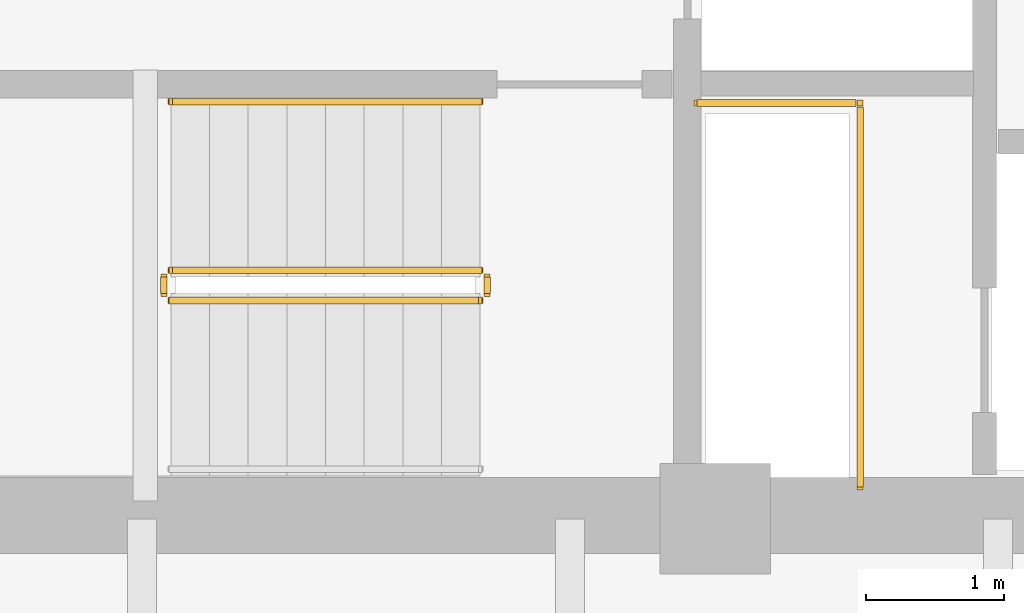
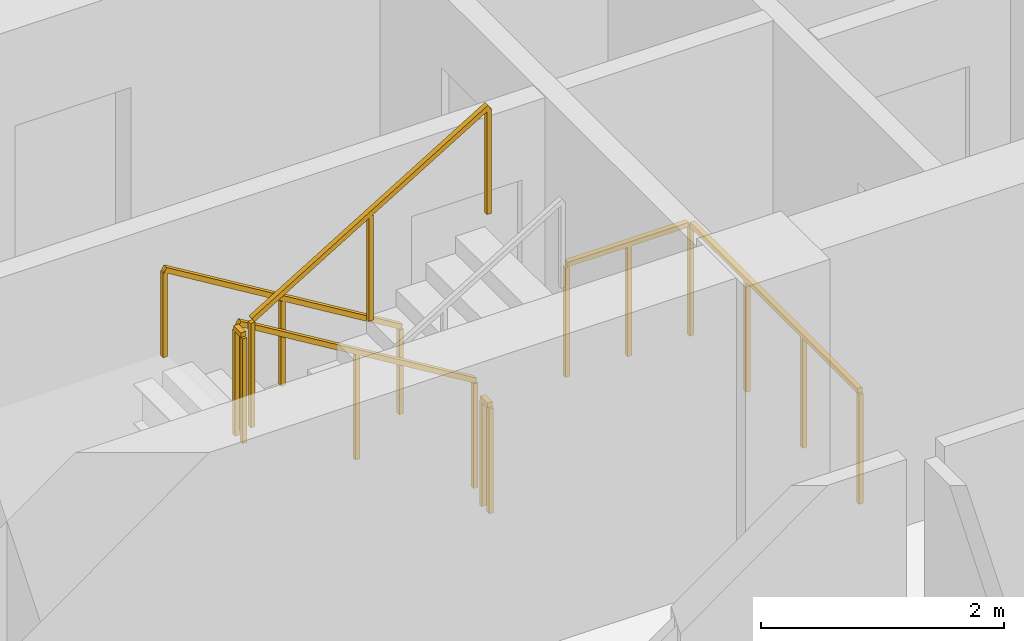
# One storey, part 8 of 12: 6 railings.
"""IFC4 building model written with IfcOpenShell, lengths in metres."""

from ifc_helpers import new_model, si_unit, direction, frame, origin, origin_2d, place, context, subcontext, project, spatial, rectangle, extrude, material, type_object, element, save


model = new_model("IFC4")

# Units and contexts
model_context = context("Model", 3, precision=1e-05, world=origin(), true_north=direction((0.0, 1.0)))
body_context = subcontext(model_context, "Body", "Model", "MODEL_VIEW")
ifc_project = project(units=[si_unit("LENGTHUNIT", "METRE"), si_unit("AREAUNIT", "SQUARE_METRE"), si_unit("VOLUMEUNIT", "CUBIC_METRE"), si_unit("PLANEANGLEUNIT", "RADIAN"), si_unit("MASSUNIT", "GRAM", prefix="KILO")], contexts=[model_context])

# Site, building, storey
site_placement = place(None, origin())
site = spatial("IfcSite", under=ifc_project, at=site_placement, CompositionType="ELEMENT")
building_placement = place(site_placement, origin())
building = spatial("IfcBuilding", under=site, at=building_placement, Name="Qhalaya Broadcast Tower", CompositionType="ELEMENT")
storey_placement = place(building_placement, frame((0.0, 0.0, 35.25)))
storey = spatial("IfcBuildingStorey", under=building, at=storey_placement, Name="L09", CompositionType="ELEMENT", Elevation=35.25)

# Railings
ifc_material = material(Name="Powder-Coated Galvanised Steel", Category="steel")
railing_type_1 = type_object("IfcRailingType", Name="Stair Wall Handrail 900", PredefinedType="HANDRAIL", material=ifc_material)
railing_1_placement = place(storey_placement, frame((-3.75, -5.72998046875, 0.16943359375)))
element("IfcRailing", 1, at=railing_1_placement, inside=storey, type_object=railing_type_1, Name="L09 ST-2 Stair Handrail 1", PredefinedType="HANDRAIL", context=body_context, shape_type="SweptSolid", body=[
    extrude(rectangle(XDim=0.048095703125, YDim=0.048095703125, at=origin_2d()), frame((0.0, 0.0, 0.8759765625), z_axis=(-0.855553338991, 0.0, 0.51771467445), x_axis=(0.0, -1.0, 0.0)), (0.0, 0.0, 1.0), 2.6181640625),
    extrude(rectangle(XDim=0.0419921875, YDim=0.0419921875, at=origin_2d()), origin(), (0.0, 0.0, 1.0), 0.849853515625),
    extrude(rectangle(XDim=0.0419921875, YDim=0.0419921875, at=origin_2d()), frame((-1.1201171875, 0.0, 0.677734375)), (0.0, 0.0, 1.0), 0.849853515625),
    extrude(rectangle(XDim=0.0419921875, YDim=0.0419921875, at=origin_2d()), frame((-2.239990234375, 0.0, 1.35546875)), (0.0, 0.0, 1.0), 0.849853515625),
])
railing_type_2 = type_object("IfcRailingType", Name="Stair Well & Landing Guardrail 1100", PredefinedType="GUARDRAIL", material=ifc_material)
railing_2_placement = place(storey_placement, frame((-1.0, -8.52001953125, 0.0)))
element("IfcRailing", 2, at=railing_2_placement, inside=storey, type_object=railing_type_2, Name="L09 Service Riser Opening Safety Guard SRSR", PredefinedType="GUARDRAIL", context=body_context, shape_type="SweptSolid", body=[
    extrude(rectangle(XDim=0.048095703125, YDim=0.048095703125, at=origin_2d()), frame((0.0, 0.0, 1.1259765625), z_axis=(0.0, 1.0, 0.0), x_axis=(-1.0, 0.0, 0.0)), (0.0, 0.0, 1.0), 2.751220703125),
    extrude(rectangle(XDim=0.048095703125, YDim=0.048095703125, at=origin_2d()), frame((-0.02880859375, 2.780029296875, 1.1259765625), z_axis=(-1.0, 0.0, 0.0), x_axis=(0.0, -1.0, 0.0)), (0.0, 0.0, 1.0), 1.151123046875),
    extrude(rectangle(XDim=0.0419921875, YDim=0.0419921875, at=origin_2d()), origin(), (0.0, 0.0, 1.0), 1.099853515625),
    extrude(rectangle(XDim=0.0419921875, YDim=0.0419921875, at=origin_2d()), frame((0.0, 0.9267578125, 0.0)), (0.0, 0.0, 1.0), 1.099853515625),
    extrude(rectangle(XDim=0.0419921875, YDim=0.0419921875, at=origin_2d()), frame((0.0, 1.853271484375, 0.0)), (0.0, 0.0, 1.0), 1.099853515625),
    extrude(rectangle(XDim=0.0419921875, YDim=0.0419921875, at=origin_2d()), frame((0.0, 2.780029296875, 0.0)), (0.0, 0.0, 1.0), 1.099853515625),
    extrude(rectangle(XDim=0.0419921875, YDim=0.0419921875, at=origin_2d()), frame((-0.58984375, 2.780029296875, 0.0)), (0.0, 0.0, 1.0), 1.099853515625),
    extrude(rectangle(XDim=0.0419921875, YDim=0.0419921875, at=origin_2d()), frame((-1.179931640625, 2.780029296875, 0.0)), (0.0, 0.0, 1.0), 1.099853515625),
])
railing_3_placement = place(storey_placement, frame((-3.75, -6.949951171875, 0.16943359375)))
element("IfcRailing", 3, at=railing_3_placement, inside=storey, type_object=railing_type_2, Name="L09 ST-2 Stair Guard 1", PredefinedType="GUARDRAIL", context=body_context, shape_type="SweptSolid", body=[
    extrude(rectangle(XDim=0.048095703125, YDim=0.048095703125, at=origin_2d()), frame((0.0, 0.0, 1.076171875), z_axis=(-0.855553338991, 0.0, 0.51771467445), x_axis=(0.0, -1.0, 0.0)), (0.0, 0.0, 1.0), 2.6181640625),
    extrude(rectangle(XDim=0.0419921875, YDim=0.0419921875, at=origin_2d()), origin(), (0.0, 0.0, 1.0), 1.050048828125),
    extrude(rectangle(XDim=0.0419921875, YDim=0.0419921875, at=origin_2d()), frame((-1.1201171875, 0.0, 0.677734375)), (0.0, 0.0, 1.0), 1.050048828125),
    extrude(rectangle(XDim=0.0419921875, YDim=0.0419921875, at=origin_2d()), frame((-2.239990234375, 0.0, 1.35546875)), (0.0, 0.0, 1.0), 1.050048828125),
])
railing_4_placement = place(storey_placement, frame((-6.0400390625, -7.0, 1.52490234375)))
element("IfcRailing", 4, at=railing_4_placement, inside=storey, type_object=railing_type_2, Name="L09 ST-2 Stair Guard 2", PredefinedType="GUARDRAIL", context=body_context, shape_type="SweptSolid", body=[
    extrude(rectangle(XDim=0.048095703125, YDim=0.048095703125, at=origin_2d()), frame((0.0, 0.0, 1.076171875), z_axis=(0.0, -1.0, 0.0), x_axis=(1.0, 0.0, 0.0)), (0.0, 0.0, 1.0), 0.1201171875),
    extrude(rectangle(XDim=0.0419921875, YDim=0.0419921875, at=origin_2d()), origin(), (0.0, 0.0, 1.0), 1.050048828125),
    extrude(rectangle(XDim=0.0419921875, YDim=0.0419921875, at=origin_2d()), frame((0.0, -0.1201171875, 0.0)), (0.0, 0.0, 1.0), 1.050048828125),
])
railing_5_placement = place(storey_placement, frame((-5.989990234375, -7.169921875, 1.6943359375)))
element("IfcRailing", 5, at=railing_5_placement, inside=storey, type_object=railing_type_2, Name="L09 ST-2 Stair Guard 3", PredefinedType="GUARDRAIL", context=body_context, shape_type="SweptSolid", body=[
    extrude(rectangle(XDim=0.048095703125, YDim=0.048095703125, at=origin_2d()), frame((0.0, 0.0, 1.076171875), z_axis=(0.855512035549, 0.0, 0.517782924622), x_axis=(0.0, 1.0, 0.0)), (0.0, 0.0, 1.0), 2.618408203125),
    extrude(rectangle(XDim=0.0419921875, YDim=0.0419921875, at=origin_2d()), origin(), (0.0, 0.0, 1.0), 1.050048828125),
    extrude(rectangle(XDim=0.0419921875, YDim=0.0419921875, at=origin_2d()), frame((1.1201171875, 0.0, 0.677734375)), (0.0, 0.0, 1.0), 1.050048828125),
    extrude(rectangle(XDim=0.0419921875, YDim=0.0419921875, at=origin_2d()), frame((2.239990234375, 0.0, 1.355712890625)), (0.0, 0.0, 1.0), 1.050048828125),
])
railing_6_placement = place(storey_placement, frame((-3.699951171875, -7.0, 0.0)))
element("IfcRailing", 6, at=railing_6_placement, inside=storey, type_object=railing_type_2, Name="L09 ST-2 Stair Guard 4", PredefinedType="GUARDRAIL", context=body_context, shape_type="SweptSolid", body=[
    extrude(rectangle(XDim=0.048095703125, YDim=0.048095703125, at=origin_2d()), frame((0.0, 0.0, 1.076171875), z_axis=(0.0, -1.0, 0.0), x_axis=(1.0, 0.0, 0.0)), (0.0, 0.0, 1.0), 0.1201171875),
    extrude(rectangle(XDim=0.0419921875, YDim=0.0419921875, at=origin_2d()), origin(), (0.0, 0.0, 1.0), 1.050048828125),
    extrude(rectangle(XDim=0.0419921875, YDim=0.0419921875, at=origin_2d()), frame((0.0, -0.1201171875, 0.0)), (0.0, 0.0, 1.0), 1.050048828125),
])

save(model, "model.ifc")
